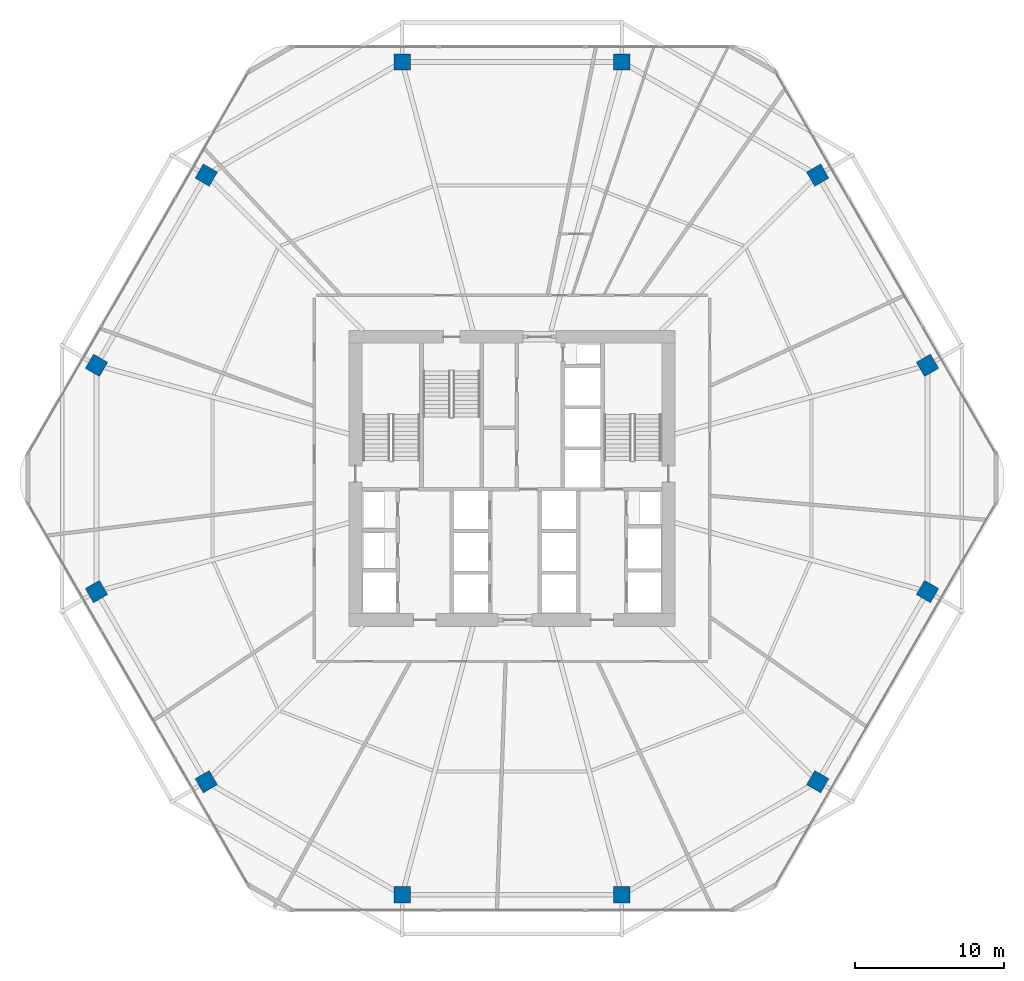
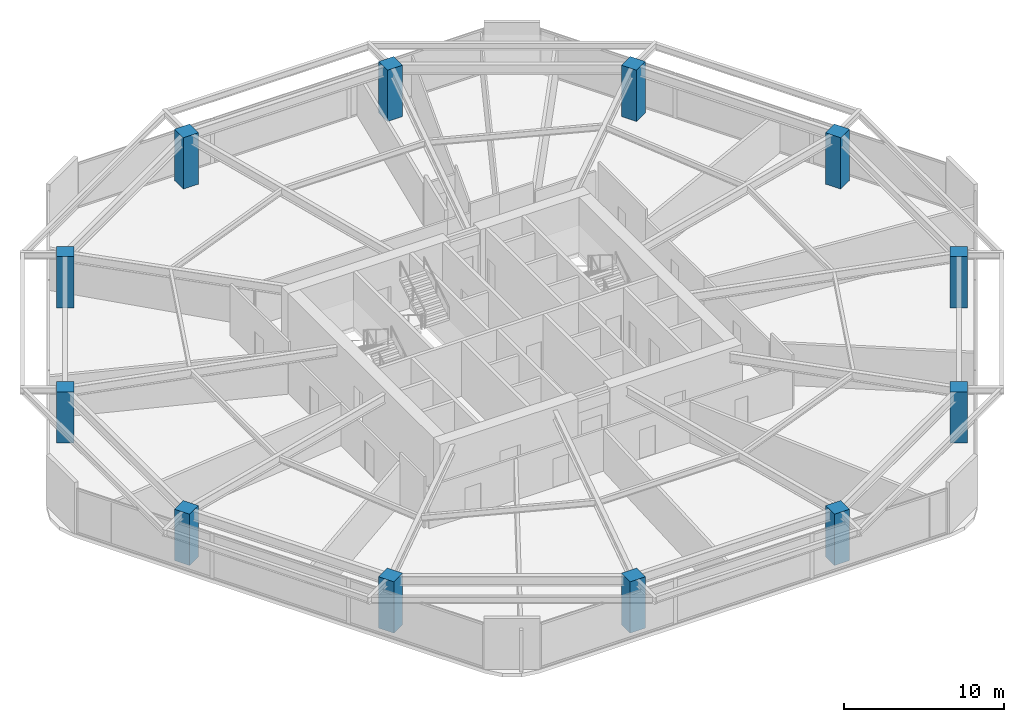
# One storey, part 1 of 28: 12 columns.
"""IFC4 building model written with IfcOpenShell, lengths in metres."""

from ifc_helpers import new_model, si_unit, direction, frame, origin, origin_2d, place, context, subcontext, project, spatial, rectangle, extrude, material, material_profile, profile_set, type_object, element, save


model = new_model("IFC4")

# Units and contexts
model_context = context("Model", 3, precision=1e-05, world=origin(), true_north=direction((0.0, 1.0)))
body_context = subcontext(model_context, "Body", "Model", "MODEL_VIEW")
ifc_project = project(units=[si_unit("LENGTHUNIT", "METRE"), si_unit("AREAUNIT", "SQUARE_METRE"), si_unit("VOLUMEUNIT", "CUBIC_METRE"), si_unit("PLANEANGLEUNIT", "RADIAN"), si_unit("MASSUNIT", "GRAM", prefix="KILO")], contexts=[model_context])

# Site, building, storey
site_placement = place(None, origin())
site = spatial("IfcSite", under=ifc_project, at=site_placement, CompositionType="ELEMENT")
building_placement = place(site_placement, origin())
building = spatial("IfcBuilding", under=site, at=building_placement, Name="Zuhravey Tower", CompositionType="ELEMENT")
storey_placement = place(building_placement, frame((0.0, 0.0, 79.199951171875)))
storey = spatial("IfcBuildingStorey", under=building, at=storey_placement, Name="L19", CompositionType="ELEMENT", Elevation=79.199951171875)

# Columns
ifc_material = material(Name="Concrete C60/75", Category="concrete")
ifc_material_profile = material_profile(ifc_material, rectangle(XDim=1.10009765625, YDim=1.10009765625, at=origin_2d()), Name="RC-1100x1100")
ifc_profile_set = profile_set([ifc_material_profile], Name="Concrete C60/75")
column_type = type_object("IfcColumnType", Name="Zone 1 Upper Column 1100x1100", PredefinedType="COLUMN", material=ifc_profile_set)
for number, where, z_axis, x_axis, name in (
    (1, (63.88916015625, 39.591552734375, 0.0), (0.0, 0.0, 1.0), (-0.5, 0.866025403784, 0.0), "L19 Perimeter Column PC01"),
    (2, (56.51904296875, 52.35693359375, 0.0), (0.0, 0.0, 1.0), (-0.5, 0.866025403784, 0.0), "L19 Perimeter Column PC02"),
    (3, (43.3701171875, 59.948486328125, 0.0), (0.0, 0.0, 1.0), (-1.0, 0.0, 0.0), "L19 Perimeter Column PC03"),
    (4, (28.6298828125, 59.948486328125, 0.0), (0.0, 0.0, 1.0), (-1.0, 0.0, 0.0), "L19 Perimeter Column PC04"),
    (5, (15.48095703125, 52.35693359375, 0.0), (0.0, 0.0, 1.0), (-0.5, -0.866025403784, 0.0), "L19 Perimeter Column PC05"),
    (6, (8.11083984375, 39.591552734375, 0.0), (0.0, 0.0, 1.0), (-0.5, -0.866025403784, 0.0), "L19 Perimeter Column PC06"),
    (7, (8.11083984375, 24.408447265625, 0.0), (0.0, 0.0, 1.0), (0.5, -0.866025403784, 0.0), "L19 Perimeter Column PC07"),
    (8, (15.48095703125, 11.64306640625, 0.0), (0.0, 0.0, 1.0), (0.5, -0.866025403784, 0.0), "L19 Perimeter Column PC08"),
    (9, (28.6298828125, 4.051513671875, 0.0), (0.0, 0.0, 1.0), (1.0, 0.0, 0.0), "L19 Perimeter Column PC09"),
    (10, (43.3701171875, 4.051513671875, 0.0), (0.0, 0.0, 1.0), (1.0, 0.0, 0.0), "L19 Perimeter Column PC10"),
    (11, (56.51904296875, 11.64306640625, 0.0), (0.0, 0.0, 1.0), (0.5, 0.866025403784, 0.0), "L19 Perimeter Column PC11"),
    (12, (63.88916015625, 24.408447265625, 0.0), (0.0, 0.0, 1.0), (0.5, 0.866025403784, 0.0), "L19 Perimeter Column PC12"),
):
    element("IfcColumn", number, at=place(storey_placement, frame(where, z_axis=z_axis, x_axis=x_axis)), inside=storey, type_object=column_type, Name=name, PredefinedType="COLUMN", context=body_context, shape_type="SweptSolid", body=[
        extrude(rectangle(XDim=1.10009765625, YDim=1.10009765625, at=origin_2d()), origin(), (0.0, 0.0, 1.0), 3.920166015625),
    ])

save(model, "model.ifc")
